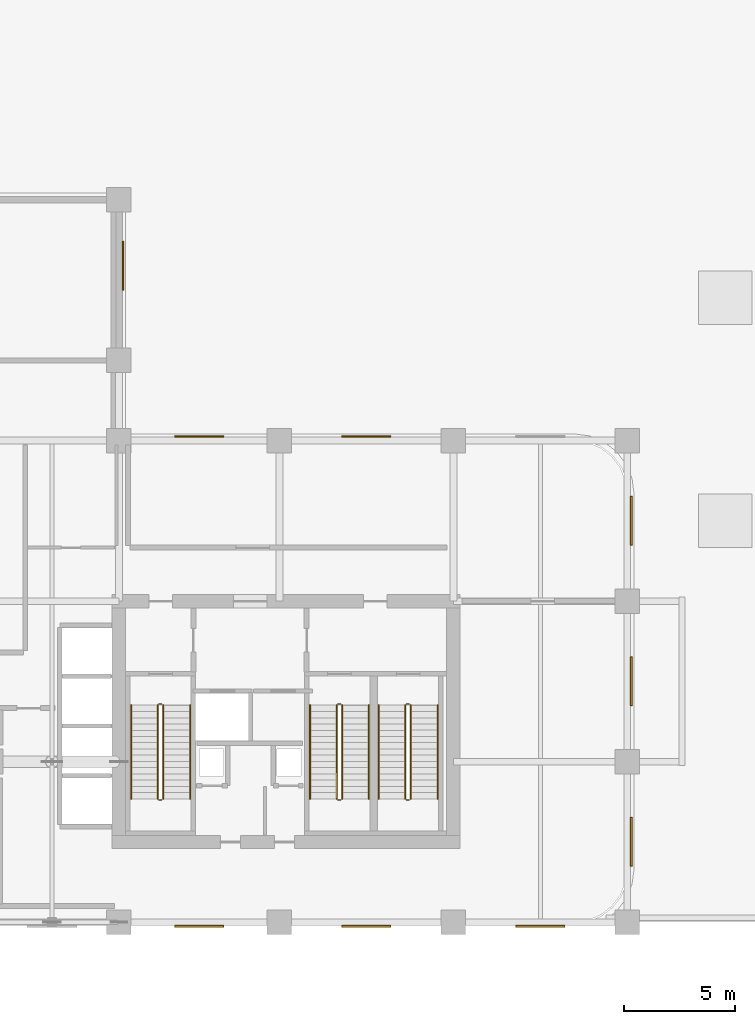
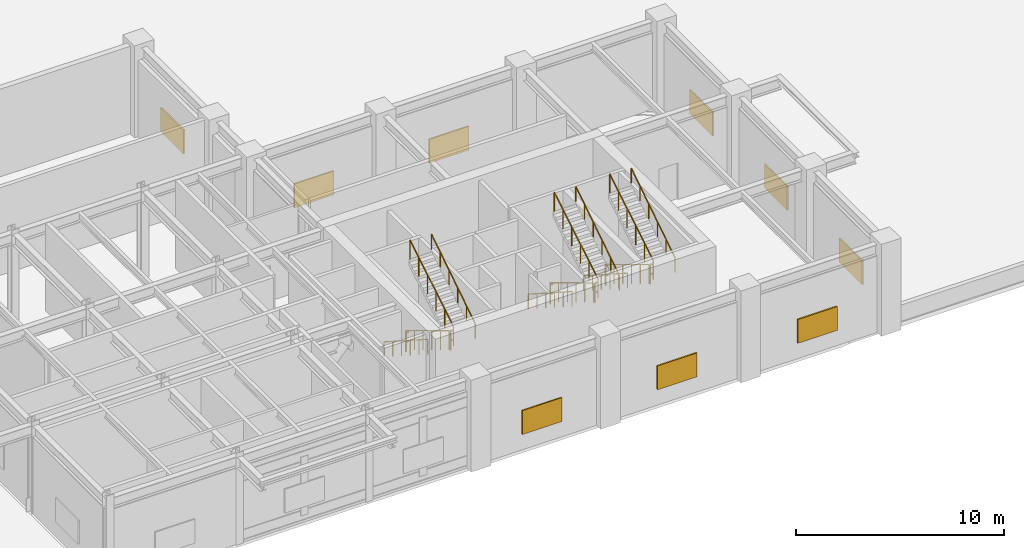
# One storey, part 12 of 14: 18 railings, 9 shading devices.
"""IFC4 building model written with IfcOpenShell, lengths in metres."""

import ifcopenshell
import ifcopenshell.guid

model = None  # the IFC model being written
_history = None  # IfcOwnerHistory: only IFC2X3 demands one
_inside = {}  # id of a spatial element -> (the spatial element, [elements in it])
_under = {}  # id of a project, library or spatial element -> (it, [spatial elements below it])
_declared = {}  # id of a project -> (the project, [libraries it declares])
_typed = {}  # id of a type object -> (the type object, [elements of that type])
_made_of = {}  # id of a material, layer set ... -> (it, [elements and type objects made of it])


def new_model(schema):
    """Start an empty IFC model of exactly this schema.

    Asked for "IFC4X3", IfcOpenShell would pick the latest addendum, in which some entities
    have other attributes; the version numbers below select the first issue.
    IFC2X3 requires an IfcOwnerHistory on every rooted entity: one is made here for all.
    """
    global model, _history
    if schema == "IFC4X3":
        model = ifcopenshell.file(schema_version=(4, 3, 0, 0))
    else:
        model = ifcopenshell.file(schema=schema)
    _inside.clear()
    _under.clear()
    _declared.clear()
    _typed.clear()
    _made_of.clear()
    _history = None
    if model.schema == "IFC2X3":
        org = make("IfcOrganization", Name="unknown")
        user = make(
            "IfcPersonAndOrganization",
            ThePerson=make("IfcPerson", FamilyName="unknown"),
            TheOrganization=org,
        )
        app = make(
            "IfcApplication",
            ApplicationDeveloper=org,
            Version="unknown",
            ApplicationFullName="unknown",
            ApplicationIdentifier="unknown",
        )
        _history = make(
            "IfcOwnerHistory",
            OwningUser=user,
            OwningApplication=app,
            ChangeAction="ADDED",
            CreationDate=0,
        )
    return model


def make(cls, **values):
    """One entity of the class cls with the attributes given. An attribute that is None is left unset."""
    return model.create_entity(
        cls, **{name: value for name, value in values.items() if value is not None}
    )


def rooted(cls, **values):
    """An entity with a GlobalId (a new one), such as an element, a storey or a relation."""
    return make(cls, GlobalId=ifcopenshell.guid.new(), OwnerHistory=_history, **values)


def si_unit(unit_type, name, prefix=None):
    """IfcSIUnit, for example si_unit("LENGTHUNIT", "METRE", prefix="MILLI")."""
    return make("IfcSIUnit", UnitType=unit_type, Prefix=prefix, Name=name)


def derived_unit(unit_type, elements):
    """IfcDerivedUnit: a product of units, each with its exponent."""
    return make(
        "IfcDerivedUnit",
        Elements=[
            make("IfcDerivedUnitElement", Unit=unit, Exponent=power)
            for unit, power in elements
        ],
        UnitType=unit_type,
    )


def assignment(units):
    """IfcUnitAssignment: the units of a project."""
    return None if units is None else make("IfcUnitAssignment", Units=units)


def point(xyz):
    """IfcCartesianPoint."""
    return None if xyz is None else make("IfcCartesianPoint", Coordinates=xyz)


def direction(xyz):
    """IfcDirection."""
    return None if xyz is None else make("IfcDirection", DirectionRatios=xyz)


def frame(location, z_axis=None, x_axis=None):
    """IfcAxis2Placement3D, a coordinate frame: its origin and axes. An axis left out is left unset."""
    return make(
        "IfcAxis2Placement3D",
        Location=point(location),
        Axis=direction(z_axis),
        RefDirection=direction(x_axis),
    )


def frame_2d(location, x_axis=None):
    """IfcAxis2Placement2D, a coordinate frame in the plane: its origin and x axis."""
    return make(
        "IfcAxis2Placement2D", Location=point(location), RefDirection=direction(x_axis)
    )


def origin():
    """The frame at (0, 0, 0) with its axes left unset."""
    return frame((0.0, 0.0, 0.0))


def origin_2d():
    """The frame at (0, 0) in the plane with its x axis left unset."""
    return frame_2d((0.0, 0.0))


def place(relative_to, where):
    """IfcLocalPlacement: puts the frame where relative to a parent placement (None: the world)."""
    return make(
        "IfcLocalPlacement", PlacementRelTo=relative_to, RelativePlacement=where
    )


def context(
    kind, dimensions, precision=None, world=None, true_north=None, identifier=None
):
    """IfcGeometricRepresentationContext, for example the 3D "Model" context."""
    return make(
        "IfcGeometricRepresentationContext",
        ContextIdentifier=identifier,
        ContextType=kind,
        CoordinateSpaceDimension=dimensions,
        Precision=precision,
        WorldCoordinateSystem=world,
        TrueNorth=true_north,
    )


def subcontext(parent, identifier, kind, view, scale=None):
    """IfcGeometricRepresentationSubContext, for example "Body" below "Model"."""
    return make(
        "IfcGeometricRepresentationSubContext",
        ContextIdentifier=identifier,
        ContextType=kind,
        ParentContext=parent,
        TargetScale=scale,
        TargetView=view,
    )


def project(units=None, contexts=None):
    """IfcProject with its units and contexts."""
    return rooted(
        "IfcProject",
        Name="project",
        RepresentationContexts=contexts,
        UnitsInContext=assignment(units),
    )


def spatial(cls, under=None, at=None, **own):
    """A site, building, storey or space (cls), placed at a placement, below another one or the project."""
    s = rooted(cls, ObjectPlacement=at, **own)
    if under is not None:
        _under.setdefault(under.id(), (under, []))[1].append(s)
    return s


def profile(cls, at=None, kind="AREA", **sizes):
    """A parametric profile (cls). Its sizes go by their IFC names, for example OverallWidth=200.0."""
    return make(cls, ProfileType=kind, Position=at, **sizes)


def rectangle(**sizes):
    """IfcRectangleProfileDef."""
    return profile("IfcRectangleProfileDef", **sizes)


def extrude(swept, where, along, depth):
    """IfcExtrudedAreaSolid: the profile swept, set in the frame where, extruded along a direction by depth."""
    return make(
        "IfcExtrudedAreaSolid",
        SweptArea=swept,
        Position=where,
        ExtrudedDirection=direction(along),
        Depth=depth,
    )


def shape(context_of_items, identifier, shape_type, items):
    """IfcShapeRepresentation: the items that make up one representation, for example the "Body"."""
    return make(
        "IfcShapeRepresentation",
        ContextOfItems=context_of_items,
        RepresentationIdentifier=identifier,
        RepresentationType=shape_type,
        Items=items,
    )


def source(mapping_origin, context_of_items, identifier, shape_type, items):
    """IfcRepresentationMap: a shape defined once, which mapped items show again and again."""
    return make(
        "IfcRepresentationMap",
        MappingOrigin=mapping_origin,
        MappedRepresentation=shape(context_of_items, identifier, shape_type, items),
    )


def transform(
    local_origin,
    x_axis=None,
    y_axis=None,
    z_axis=None,
    scale=None,
    scale2=None,
    scale3=None,
    uniform=True,
):
    """IfcCartesianTransformationOperator3D, or its non-uniform kind. x_axis, y_axis, z_axis: its Axis1, 2, 3."""
    if uniform:
        return make(
            "IfcCartesianTransformationOperator3D",
            Axis1=direction(x_axis),
            Axis2=direction(y_axis),
            LocalOrigin=point(local_origin),
            Scale=scale,
            Axis3=direction(z_axis),
        )
    return make(
        "IfcCartesianTransformationOperator3DnonUniform",
        Axis1=direction(x_axis),
        Axis2=direction(y_axis),
        LocalOrigin=point(local_origin),
        Scale=scale,
        Axis3=direction(z_axis),
        Scale2=scale2,
        Scale3=scale3,
    )


def mapped(mapping_source, mapping_target):
    """IfcMappedItem: shows the shape of a source again, moved by a transform."""
    return make(
        "IfcMappedItem", MappingSource=mapping_source, MappingTarget=mapping_target
    )


def material(Name=None, Category=None):
    """IfcMaterial."""
    return make("IfcMaterial", Name=Name, Category=Category)


def layer(
    of_material, thickness, ventilated=None, Name=None, Category=None, Priority=None
):
    """IfcMaterialLayer: one layer of a wall or slab, of a material (None: an air gap)."""
    return make(
        "IfcMaterialLayer",
        Material=of_material,
        LayerThickness=thickness,
        IsVentilated=ventilated,
        Name=Name,
        Category=Category,
        Priority=Priority,
    )


def layer_set(layers, Name=None):
    """IfcMaterialLayerSet."""
    return make("IfcMaterialLayerSet", MaterialLayers=layers, LayerSetName=Name)


def made_of(thing, what):
    """Note that an element or type object is made of a material, layer set ...; save() writes the relation."""
    if what is not None:
        _made_of.setdefault(what.id(), (what, []))[1].append(thing)
    return thing


def type_object(cls, material=None, **own):
    """A type object (cls), such as IfcWallType, which elements share."""
    return made_of(rooted(cls, **own), material)


def type_shapes(of_type, sources):
    """Give a type object the sources (RepresentationMaps) that its elements show as mapped items."""
    of_type.RepresentationMaps = sources


def element(
    cls,
    number,
    at=None,
    inside=None,
    cuts=None,
    type_object=None,
    material=None,
    context=None,
    identifier="Body",
    shape_type=None,
    held_by="IfcProductDefinitionShape",
    body=None,
    shapes=None,
    **own,
):
    """One element of the class cls, such as IfcWall. Its Tag is "e" and its number.

    at: its placement. inside: the storey or other place that contains it. cuts: it is an
    opening in that element (IfcRelVoidsElement). A single representation is given by context,
    identifier, shape_type and body (its items); several are given by shapes. held_by: the class
    of the entity that holds the representations. save() writes the other relations.
    """
    e = rooted(cls, Tag="e%d" % number, ObjectPlacement=at, **own)
    if body is not None:
        shapes = [shape(context, identifier, shape_type, body)]
    if shapes is not None:
        e.Representation = make(held_by, Representations=shapes)
    if inside is not None:
        _inside.setdefault(inside.id(), (inside, []))[1].append(e)
    if cuts is not None:
        rooted(
            "IfcRelVoidsElement", RelatingBuildingElement=cuts, RelatedOpeningElement=e
        )
    if type_object is not None:
        _typed.setdefault(type_object.id(), (type_object, []))[1].append(e)
    return made_of(e, material)


def aggregate(whole, parts):
    """IfcRelAggregates: a whole, such as a stair, and the parts it consists of."""
    return rooted("IfcRelAggregates", RelatingObject=whole, RelatedObjects=parts)


def save(model, path):
    """Write the relations noted so far, then the file.

    IfcRelAggregates (storeys below a building ...), IfcRelContainedInSpatialStructure (elements
    in a storey), IfcRelDefinesByType, IfcRelAssociatesMaterial and IfcRelDeclares: one each for
    every whole, place, type object, material and project.
    """
    for whole, parts in _under.values():
        aggregate(whole, parts)
    for where, things in _inside.values():
        rooted(
            "IfcRelContainedInSpatialStructure",
            RelatedElements=things,
            RelatingStructure=where,
        )
    for kind, things in _typed.values():
        rooted("IfcRelDefinesByType", RelatedObjects=things, RelatingType=kind)
    for what, things in _made_of.values():
        rooted("IfcRelAssociatesMaterial", RelatedObjects=things, RelatingMaterial=what)
    for by, libraries in _declared.values():
        rooted("IfcRelDeclares", RelatingContext=by, RelatedDefinitions=libraries)
    model.write(path)


model = new_model("IFC4")

# Units and contexts
model_context = context("Model", 3, precision=1e-05, world=origin(), true_north=direction((0.0, 1.0)))
body_context = subcontext(model_context, "Body", "Model", "MODEL_VIEW")
ifc_project = project(units=[si_unit("LENGTHUNIT", "METRE"), si_unit("AREAUNIT", "SQUARE_METRE"), si_unit("VOLUMEUNIT", "CUBIC_METRE"), si_unit("PLANEANGLEUNIT", "RADIAN"), si_unit("MASSUNIT", "GRAM", prefix="KILO"), si_unit("THERMODYNAMICTEMPERATUREUNIT", "KELVIN"), si_unit("POWERUNIT", "WATT"), derived_unit("THERMALTRANSMITTANCEUNIT", [(si_unit("POWERUNIT", "WATT"), 1), (si_unit("AREAUNIT", "SQUARE_METRE"), -1), (si_unit("THERMODYNAMICTEMPERATUREUNIT", "KELVIN"), -1)])], contexts=[model_context])

# Site, building, storey
site_placement = place(None, origin())
site = spatial("IfcSite", under=ifc_project, at=site_placement, CompositionType="ELEMENT")
building_placement = place(site_placement, origin())
building = spatial("IfcBuilding", under=site, at=building_placement, Name="Zahravan Archway Hotel and Residences", CompositionType="ELEMENT")
storey_placement = place(building_placement, frame((0.0, 0.0, 27.0)))
storey = spatial("IfcBuildingStorey", under=building, at=storey_placement, Name="L05", CompositionType="ELEMENT", Elevation=27.0)

# Railings
ifc_material_1 = material(Name="Painted Tubular Steel", Category="steel")
railing_type_1 = type_object("IfcRailingType", Name="RL-STG-1150", PredefinedType="GUARDRAIL", material=ifc_material_1)
railing_1_placement = place(storey_placement, frame((36.550048828125, 9.72998046875, 0.168701171875)))
element("IfcRailing", 1, at=railing_1_placement, inside=storey, type_object=railing_type_1, Name="L05 ST-A1 stair guard 1", PredefinedType="GUARDRAIL", context=body_context, shape_type="SweptSolid", body=[
    extrude(rectangle(XDim=0.048095703125, YDim=0.048095703125, at=origin_2d()), frame((0.0, 0.0, 1.1259765625), z_axis=(0.0, -0.856476492594, 0.516186030065), x_axis=(1.0, 0.0, 0.0)), (0.0, 0.0, 1.0), 4.90380859375),
    extrude(rectangle(XDim=0.0419921875, YDim=0.0419921875, at=origin_2d()), origin(), (0.0, 0.0, 1.0), 1.101806640625),
    extrude(rectangle(XDim=0.0419921875, YDim=0.0419921875, at=origin_2d()), frame((0.0, -0.840087890625, 0.50634765625)), (0.0, 0.0, 1.0), 1.101806640625),
    extrude(rectangle(XDim=0.0419921875, YDim=0.0419921875, at=origin_2d()), frame((0.0, -1.679931640625, 1.012451171875)), (0.0, 0.0, 1.0), 1.101806640625),
    extrude(rectangle(XDim=0.0419921875, YDim=0.0419921875, at=origin_2d()), frame((0.0, -2.52001953125, 1.518798828125)), (0.0, 0.0, 1.0), 1.101806640625),
    extrude(rectangle(XDim=0.0419921875, YDim=0.0419921875, at=origin_2d()), frame((0.0, -3.35986328125, 2.02490234375)), (0.0, 0.0, 1.0), 1.101806640625),
    extrude(rectangle(XDim=0.0419921875, YDim=0.0419921875, at=origin_2d()), frame((0.0, -4.199951171875, 2.53125)), (0.0, 0.0, 1.0), 1.101806640625),
])
railing_2_placement = place(storey_placement, frame((36.60009765625, 5.47998046875, 2.699951171875)))
element("IfcRailing", 2, at=railing_2_placement, inside=storey, type_object=railing_type_1, Name="L05 ST-A1 stair guard 2", PredefinedType="GUARDRAIL", context=body_context, shape_type="SweptSolid", body=[
    extrude(rectangle(XDim=0.048095703125, YDim=0.048095703125, at=origin_2d()), frame((0.0, 0.0, 1.1259765625), z_axis=(1.0, 0.0, 0.0), x_axis=(0.0, 1.0, 0.0)), (0.0, 0.0, 1.0), 0.139892578125),
    extrude(rectangle(XDim=0.048095703125, YDim=0.048095703125, at=origin_2d()), frame((0.0, 0.0, 0.574951171875), z_axis=(1.0, 0.0, 0.0), x_axis=(0.0, 1.0, 0.0)), (0.0, 0.0, 1.0), 0.139892578125),
    extrude(rectangle(XDim=0.0419921875, YDim=0.0419921875, at=origin_2d()), origin(), (0.0, 0.0, 1.0), 1.101806640625),
])
railing_3_placement = place(storey_placement, frame((36.7900390625, 5.530029296875, 2.86865234375)))
element("IfcRailing", 3, at=railing_3_placement, inside=storey, type_object=railing_type_1, Name="L05 ST-A1 stair guard 3", PredefinedType="GUARDRAIL", context=body_context, shape_type="SweptSolid", body=[
    extrude(rectangle(XDim=0.048095703125, YDim=0.048095703125, at=origin_2d()), frame((0.0, 0.0, 1.1259765625), z_axis=(0.0, 0.856476492594, 0.516186030065), x_axis=(-1.0, 0.0, 0.0)), (0.0, 0.0, 1.0), 4.90380859375),
    extrude(rectangle(XDim=0.0419921875, YDim=0.0419921875, at=origin_2d()), origin(), (0.0, 0.0, 1.0), 1.101806640625),
    extrude(rectangle(XDim=0.0419921875, YDim=0.0419921875, at=origin_2d()), frame((0.0, 0.840087890625, 0.50634765625)), (0.0, 0.0, 1.0), 1.101806640625),
    extrude(rectangle(XDim=0.0419921875, YDim=0.0419921875, at=origin_2d()), frame((0.0, 1.679931640625, 1.012451171875)), (0.0, 0.0, 1.0), 1.101806640625),
    extrude(rectangle(XDim=0.0419921875, YDim=0.0419921875, at=origin_2d()), frame((0.0, 2.52001953125, 1.518798828125)), (0.0, 0.0, 1.0), 1.101806640625),
    extrude(rectangle(XDim=0.0419921875, YDim=0.0419921875, at=origin_2d()), frame((0.0, 3.35986328125, 2.02490234375)), (0.0, 0.0, 1.0), 1.101806640625),
    extrude(rectangle(XDim=0.0419921875, YDim=0.0419921875, at=origin_2d()), frame((0.0, 4.199951171875, 2.53125)), (0.0, 0.0, 1.0), 1.101806640625),
])
railing_4_placement = place(storey_placement, frame((36.60009765625, 9.780029296875, 0.0)))
element("IfcRailing", 4, at=railing_4_placement, inside=storey, type_object=railing_type_1, Name="L05 ST-A1 stair guard 4", PredefinedType="GUARDRAIL", context=body_context, shape_type="SweptSolid", body=[
    extrude(rectangle(XDim=0.048095703125, YDim=0.048095703125, at=origin_2d()), frame((0.0, 0.0, 1.1259765625), z_axis=(1.0, 0.0, 0.0), x_axis=(0.0, 1.0, 0.0)), (0.0, 0.0, 1.0), 0.139892578125),
    extrude(rectangle(XDim=0.048095703125, YDim=0.048095703125, at=origin_2d()), frame((0.0, 0.0, 0.574951171875), z_axis=(1.0, 0.0, 0.0), x_axis=(0.0, 1.0, 0.0)), (0.0, 0.0, 1.0), 0.139892578125),
    extrude(rectangle(XDim=0.0419921875, YDim=0.0419921875, at=origin_2d()), origin(), (0.0, 0.0, 1.0), 1.101806640625),
])
railing_5_placement = place(storey_placement, frame((44.570068359375, 9.72998046875, 0.168701171875)))
element("IfcRailing", 5, at=railing_5_placement, inside=storey, type_object=railing_type_1, Name="L05 ST-A2 stair guard 1", PredefinedType="GUARDRAIL", context=body_context, shape_type="SweptSolid", body=[
    extrude(rectangle(XDim=0.048095703125, YDim=0.048095703125, at=origin_2d()), frame((0.0, 0.0, 1.1259765625), z_axis=(0.0, -0.856476492594, 0.516186030065), x_axis=(1.0, 0.0, 0.0)), (0.0, 0.0, 1.0), 4.90380859375),
    extrude(rectangle(XDim=0.0419921875, YDim=0.0419921875, at=origin_2d()), origin(), (0.0, 0.0, 1.0), 1.101806640625),
    extrude(rectangle(XDim=0.0419921875, YDim=0.0419921875, at=origin_2d()), frame((0.0, -0.840087890625, 0.50634765625)), (0.0, 0.0, 1.0), 1.101806640625),
    extrude(rectangle(XDim=0.0419921875, YDim=0.0419921875, at=origin_2d()), frame((0.0, -1.679931640625, 1.012451171875)), (0.0, 0.0, 1.0), 1.101806640625),
    extrude(rectangle(XDim=0.0419921875, YDim=0.0419921875, at=origin_2d()), frame((0.0, -2.52001953125, 1.518798828125)), (0.0, 0.0, 1.0), 1.101806640625),
    extrude(rectangle(XDim=0.0419921875, YDim=0.0419921875, at=origin_2d()), frame((0.0, -3.35986328125, 2.02490234375)), (0.0, 0.0, 1.0), 1.101806640625),
    extrude(rectangle(XDim=0.0419921875, YDim=0.0419921875, at=origin_2d()), frame((0.0, -4.199951171875, 2.53125)), (0.0, 0.0, 1.0), 1.101806640625),
])
railing_6_placement = place(storey_placement, frame((44.6201171875, 5.47998046875, 2.699951171875)))
element("IfcRailing", 6, at=railing_6_placement, inside=storey, type_object=railing_type_1, Name="L05 ST-A2 stair guard 2", PredefinedType="GUARDRAIL", context=body_context, shape_type="SweptSolid", body=[
    extrude(rectangle(XDim=0.048095703125, YDim=0.048095703125, at=origin_2d()), frame((0.0, 0.0, 1.1259765625), z_axis=(1.0, 0.0, 0.0), x_axis=(0.0, 1.0, 0.0)), (0.0, 0.0, 1.0), 0.139892578125),
    extrude(rectangle(XDim=0.048095703125, YDim=0.048095703125, at=origin_2d()), frame((0.0, 0.0, 0.574951171875), z_axis=(1.0, 0.0, 0.0), x_axis=(0.0, 1.0, 0.0)), (0.0, 0.0, 1.0), 0.139892578125),
    extrude(rectangle(XDim=0.0419921875, YDim=0.0419921875, at=origin_2d()), origin(), (0.0, 0.0, 1.0), 1.101806640625),
])
railing_7_placement = place(storey_placement, frame((44.81005859375, 5.530029296875, 2.86865234375)))
element("IfcRailing", 7, at=railing_7_placement, inside=storey, type_object=railing_type_1, Name="L05 ST-A2 stair guard 3", PredefinedType="GUARDRAIL", context=body_context, shape_type="SweptSolid", body=[
    extrude(rectangle(XDim=0.048095703125, YDim=0.048095703125, at=origin_2d()), frame((0.0, 0.0, 1.1259765625), z_axis=(0.0, 0.856476492594, 0.516186030065), x_axis=(-1.0, 0.0, 0.0)), (0.0, 0.0, 1.0), 4.90380859375),
    extrude(rectangle(XDim=0.0419921875, YDim=0.0419921875, at=origin_2d()), origin(), (0.0, 0.0, 1.0), 1.101806640625),
    extrude(rectangle(XDim=0.0419921875, YDim=0.0419921875, at=origin_2d()), frame((0.0, 0.840087890625, 0.50634765625)), (0.0, 0.0, 1.0), 1.101806640625),
    extrude(rectangle(XDim=0.0419921875, YDim=0.0419921875, at=origin_2d()), frame((0.0, 1.679931640625, 1.012451171875)), (0.0, 0.0, 1.0), 1.101806640625),
    extrude(rectangle(XDim=0.0419921875, YDim=0.0419921875, at=origin_2d()), frame((0.0, 2.52001953125, 1.518798828125)), (0.0, 0.0, 1.0), 1.101806640625),
    extrude(rectangle(XDim=0.0419921875, YDim=0.0419921875, at=origin_2d()), frame((0.0, 3.35986328125, 2.02490234375)), (0.0, 0.0, 1.0), 1.101806640625),
    extrude(rectangle(XDim=0.0419921875, YDim=0.0419921875, at=origin_2d()), frame((0.0, 4.199951171875, 2.53125)), (0.0, 0.0, 1.0), 1.101806640625),
])
railing_8_placement = place(storey_placement, frame((44.6201171875, 9.780029296875, 0.0)))
element("IfcRailing", 8, at=railing_8_placement, inside=storey, type_object=railing_type_1, Name="L05 ST-A2 stair guard 4", PredefinedType="GUARDRAIL", context=body_context, shape_type="SweptSolid", body=[
    extrude(rectangle(XDim=0.048095703125, YDim=0.048095703125, at=origin_2d()), frame((0.0, 0.0, 1.1259765625), z_axis=(1.0, 0.0, 0.0), x_axis=(0.0, 1.0, 0.0)), (0.0, 0.0, 1.0), 0.139892578125),
    extrude(rectangle(XDim=0.048095703125, YDim=0.048095703125, at=origin_2d()), frame((0.0, 0.0, 0.574951171875), z_axis=(1.0, 0.0, 0.0), x_axis=(0.0, 1.0, 0.0)), (0.0, 0.0, 1.0), 0.139892578125),
    extrude(rectangle(XDim=0.0419921875, YDim=0.0419921875, at=origin_2d()), origin(), (0.0, 0.0, 1.0), 1.101806640625),
])
railing_9_placement = place(storey_placement, frame((47.64990234375, 9.72998046875, 0.168701171875)))
element("IfcRailing", 9, at=railing_9_placement, inside=storey, type_object=railing_type_1, Name="L05 ST-A3 stair guard 1", PredefinedType="GUARDRAIL", context=body_context, shape_type="SweptSolid", body=[
    extrude(rectangle(XDim=0.048095703125, YDim=0.048095703125, at=origin_2d()), frame((0.0, 0.0, 1.1259765625), z_axis=(0.0, -0.856476492594, 0.516186030065), x_axis=(1.0, 0.0, 0.0)), (0.0, 0.0, 1.0), 4.90380859375),
    extrude(rectangle(XDim=0.0419921875, YDim=0.0419921875, at=origin_2d()), origin(), (0.0, 0.0, 1.0), 1.101806640625),
    extrude(rectangle(XDim=0.0419921875, YDim=0.0419921875, at=origin_2d()), frame((0.0, -0.840087890625, 0.50634765625)), (0.0, 0.0, 1.0), 1.101806640625),
    extrude(rectangle(XDim=0.0419921875, YDim=0.0419921875, at=origin_2d()), frame((0.0, -1.679931640625, 1.012451171875)), (0.0, 0.0, 1.0), 1.101806640625),
    extrude(rectangle(XDim=0.0419921875, YDim=0.0419921875, at=origin_2d()), frame((0.0, -2.52001953125, 1.518798828125)), (0.0, 0.0, 1.0), 1.101806640625),
    extrude(rectangle(XDim=0.0419921875, YDim=0.0419921875, at=origin_2d()), frame((0.0, -3.35986328125, 2.02490234375)), (0.0, 0.0, 1.0), 1.101806640625),
    extrude(rectangle(XDim=0.0419921875, YDim=0.0419921875, at=origin_2d()), frame((0.0, -4.199951171875, 2.53125)), (0.0, 0.0, 1.0), 1.101806640625),
])
railing_10_placement = place(storey_placement, frame((47.699951171875, 5.47998046875, 2.699951171875)))
element("IfcRailing", 10, at=railing_10_placement, inside=storey, type_object=railing_type_1, Name="L05 ST-A3 stair guard 2", PredefinedType="GUARDRAIL", context=body_context, shape_type="SweptSolid", body=[
    extrude(rectangle(XDim=0.048095703125, YDim=0.048095703125, at=origin_2d()), frame((0.0, 0.0, 1.1259765625), z_axis=(1.0, 0.0, 0.0), x_axis=(0.0, 1.0, 0.0)), (0.0, 0.0, 1.0), 0.14013671875),
    extrude(rectangle(XDim=0.048095703125, YDim=0.048095703125, at=origin_2d()), frame((0.0, 0.0, 0.574951171875), z_axis=(1.0, 0.0, 0.0), x_axis=(0.0, 1.0, 0.0)), (0.0, 0.0, 1.0), 0.14013671875),
    extrude(rectangle(XDim=0.0419921875, YDim=0.0419921875, at=origin_2d()), origin(), (0.0, 0.0, 1.0), 1.101806640625),
])
railing_11_placement = place(storey_placement, frame((47.889892578125, 5.530029296875, 2.86865234375)))
element("IfcRailing", 11, at=railing_11_placement, inside=storey, type_object=railing_type_1, Name="L05 ST-A3 stair guard 3", PredefinedType="GUARDRAIL", context=body_context, shape_type="SweptSolid", body=[
    extrude(rectangle(XDim=0.048095703125, YDim=0.048095703125, at=origin_2d()), frame((0.0, 0.0, 1.1259765625), z_axis=(0.0, 0.856476492594, 0.516186030065), x_axis=(-1.0, 0.0, 0.0)), (0.0, 0.0, 1.0), 4.90380859375),
    extrude(rectangle(XDim=0.0419921875, YDim=0.0419921875, at=origin_2d()), origin(), (0.0, 0.0, 1.0), 1.101806640625),
    extrude(rectangle(XDim=0.0419921875, YDim=0.0419921875, at=origin_2d()), frame((0.0, 0.840087890625, 0.50634765625)), (0.0, 0.0, 1.0), 1.101806640625),
    extrude(rectangle(XDim=0.0419921875, YDim=0.0419921875, at=origin_2d()), frame((0.0, 1.679931640625, 1.012451171875)), (0.0, 0.0, 1.0), 1.101806640625),
    extrude(rectangle(XDim=0.0419921875, YDim=0.0419921875, at=origin_2d()), frame((0.0, 2.52001953125, 1.518798828125)), (0.0, 0.0, 1.0), 1.101806640625),
    extrude(rectangle(XDim=0.0419921875, YDim=0.0419921875, at=origin_2d()), frame((0.0, 3.35986328125, 2.02490234375)), (0.0, 0.0, 1.0), 1.101806640625),
    extrude(rectangle(XDim=0.0419921875, YDim=0.0419921875, at=origin_2d()), frame((0.0, 4.199951171875, 2.53125)), (0.0, 0.0, 1.0), 1.101806640625),
])
railing_12_placement = place(storey_placement, frame((47.699951171875, 9.780029296875, 0.0)))
element("IfcRailing", 12, at=railing_12_placement, inside=storey, type_object=railing_type_1, Name="L05 ST-A3 stair guard 4", PredefinedType="GUARDRAIL", context=body_context, shape_type="SweptSolid", body=[
    extrude(rectangle(XDim=0.048095703125, YDim=0.048095703125, at=origin_2d()), frame((0.0, 0.0, 1.1259765625), z_axis=(1.0, 0.0, 0.0), x_axis=(0.0, 1.0, 0.0)), (0.0, 0.0, 1.0), 0.14013671875),
    extrude(rectangle(XDim=0.048095703125, YDim=0.048095703125, at=origin_2d()), frame((0.0, 0.0, 0.574951171875), z_axis=(1.0, 0.0, 0.0), x_axis=(0.0, 1.0, 0.0)), (0.0, 0.0, 1.0), 0.14013671875),
    extrude(rectangle(XDim=0.0419921875, YDim=0.0419921875, at=origin_2d()), origin(), (0.0, 0.0, 1.0), 1.101806640625),
])
ifc_material_2 = material(Name="Brushed Stainless Steel", Category="steel")
railing_type_2 = type_object("IfcRailingType", Name="RL-STH-900", PredefinedType="HANDRAIL", material=ifc_material_2)
railing_13_placement = place(storey_placement, frame((35.35009765625, 9.72998046875, 0.168701171875)))
element("IfcRailing", 13, at=railing_13_placement, inside=storey, type_object=railing_type_2, Name="L05 ST-A1 stair handrail 1", PredefinedType="HANDRAIL", context=body_context, shape_type="SweptSolid", body=[
    extrude(rectangle(XDim=0.048095703125, YDim=0.048095703125, at=origin_2d()), frame((0.0, 0.0, 0.8759765625), z_axis=(0.0, -0.841180064094, 0.540755119968), x_axis=(1.0, 0.0, 0.0)), (0.0, 0.0, 1.0), 4.992919921875),
    extrude(rectangle(XDim=0.0419921875, YDim=0.0419921875, at=origin_2d()), origin(), (0.0, 0.0, 1.0), 0.851806640625),
    extrude(rectangle(XDim=0.0419921875, YDim=0.0419921875, at=origin_2d()), frame((0.0, -0.840087890625, 0.5400390625)), (0.0, 0.0, 1.0), 0.851806640625),
    extrude(rectangle(XDim=0.0419921875, YDim=0.0419921875, at=origin_2d()), frame((0.0, -1.679931640625, 1.080078125)), (0.0, 0.0, 1.0), 0.851806640625),
    extrude(rectangle(XDim=0.0419921875, YDim=0.0419921875, at=origin_2d()), frame((0.0, -2.52001953125, 1.619873046875)), (0.0, 0.0, 1.0), 0.851806640625),
    extrude(rectangle(XDim=0.0419921875, YDim=0.0419921875, at=origin_2d()), frame((0.0, -3.35986328125, 2.159912109375)), (0.0, 0.0, 1.0), 0.851806640625),
    extrude(rectangle(XDim=0.0419921875, YDim=0.0419921875, at=origin_2d()), frame((0.0, -4.199951171875, 2.699951171875)), (0.0, 0.0, 1.0), 0.851806640625),
])
railing_14_placement = place(storey_placement, frame((37.989990234375, 5.530029296875, 2.86865234375)))
element("IfcRailing", 14, at=railing_14_placement, inside=storey, type_object=railing_type_2, Name="L05 ST-A1 stair handrail 2", PredefinedType="HANDRAIL", context=body_context, shape_type="SweptSolid", body=[
    extrude(rectangle(XDim=0.048095703125, YDim=0.048095703125, at=origin_2d()), frame((0.0, 0.0, 0.8759765625), z_axis=(0.0, 0.841157821942, 0.54078971753), x_axis=(-1.0, 0.0, 0.0)), (0.0, 0.0, 1.0), 4.9931640625),
    extrude(rectangle(XDim=0.0419921875, YDim=0.0419921875, at=origin_2d()), origin(), (0.0, 0.0, 1.0), 0.851806640625),
    extrude(rectangle(XDim=0.0419921875, YDim=0.0419921875, at=origin_2d()), frame((0.0, 0.840087890625, 0.5400390625)), (0.0, 0.0, 1.0), 0.851806640625),
    extrude(rectangle(XDim=0.0419921875, YDim=0.0419921875, at=origin_2d()), frame((0.0, 1.679931640625, 1.080078125)), (0.0, 0.0, 1.0), 0.851806640625),
    extrude(rectangle(XDim=0.0419921875, YDim=0.0419921875, at=origin_2d()), frame((0.0, 2.52001953125, 1.6201171875)), (0.0, 0.0, 1.0), 0.851806640625),
    extrude(rectangle(XDim=0.0419921875, YDim=0.0419921875, at=origin_2d()), frame((0.0, 3.35986328125, 2.16015625)), (0.0, 0.0, 1.0), 0.851806640625),
    extrude(rectangle(XDim=0.0419921875, YDim=0.0419921875, at=origin_2d()), frame((0.0, 4.199951171875, 2.7001953125)), (0.0, 0.0, 1.0), 0.851806640625),
])
railing_15_placement = place(storey_placement, frame((43.3701171875, 9.72998046875, 0.168701171875)))
element("IfcRailing", 15, at=railing_15_placement, inside=storey, type_object=railing_type_2, Name="L05 ST-A2 stair handrail 1", PredefinedType="HANDRAIL", context=body_context, shape_type="SweptSolid", body=[
    extrude(rectangle(XDim=0.048095703125, YDim=0.048095703125, at=origin_2d()), frame((0.0, 0.0, 0.8759765625), z_axis=(0.0, -0.841180064094, 0.540755119968), x_axis=(1.0, 0.0, 0.0)), (0.0, 0.0, 1.0), 4.992919921875),
    extrude(rectangle(XDim=0.0419921875, YDim=0.0419921875, at=origin_2d()), origin(), (0.0, 0.0, 1.0), 0.851806640625),
    extrude(rectangle(XDim=0.0419921875, YDim=0.0419921875, at=origin_2d()), frame((0.0, -0.840087890625, 0.5400390625)), (0.0, 0.0, 1.0), 0.851806640625),
    extrude(rectangle(XDim=0.0419921875, YDim=0.0419921875, at=origin_2d()), frame((0.0, -1.679931640625, 1.080078125)), (0.0, 0.0, 1.0), 0.851806640625),
    extrude(rectangle(XDim=0.0419921875, YDim=0.0419921875, at=origin_2d()), frame((0.0, -2.52001953125, 1.619873046875)), (0.0, 0.0, 1.0), 0.851806640625),
    extrude(rectangle(XDim=0.0419921875, YDim=0.0419921875, at=origin_2d()), frame((0.0, -3.35986328125, 2.159912109375)), (0.0, 0.0, 1.0), 0.851806640625),
    extrude(rectangle(XDim=0.0419921875, YDim=0.0419921875, at=origin_2d()), frame((0.0, -4.199951171875, 2.699951171875)), (0.0, 0.0, 1.0), 0.851806640625),
])
railing_16_placement = place(storey_placement, frame((46.010009765625, 5.530029296875, 2.86865234375)))
element("IfcRailing", 16, at=railing_16_placement, inside=storey, type_object=railing_type_2, Name="L05 ST-A2 stair handrail 2", PredefinedType="HANDRAIL", context=body_context, shape_type="SweptSolid", body=[
    extrude(rectangle(XDim=0.048095703125, YDim=0.048095703125, at=origin_2d()), frame((0.0, 0.0, 0.8759765625), z_axis=(0.0, 0.841157821942, 0.54078971753), x_axis=(-1.0, 0.0, 0.0)), (0.0, 0.0, 1.0), 4.9931640625),
    extrude(rectangle(XDim=0.0419921875, YDim=0.0419921875, at=origin_2d()), origin(), (0.0, 0.0, 1.0), 0.851806640625),
    extrude(rectangle(XDim=0.0419921875, YDim=0.0419921875, at=origin_2d()), frame((0.0, 0.840087890625, 0.5400390625)), (0.0, 0.0, 1.0), 0.851806640625),
    extrude(rectangle(XDim=0.0419921875, YDim=0.0419921875, at=origin_2d()), frame((0.0, 1.679931640625, 1.080078125)), (0.0, 0.0, 1.0), 0.851806640625),
    extrude(rectangle(XDim=0.0419921875, YDim=0.0419921875, at=origin_2d()), frame((0.0, 2.52001953125, 1.6201171875)), (0.0, 0.0, 1.0), 0.851806640625),
    extrude(rectangle(XDim=0.0419921875, YDim=0.0419921875, at=origin_2d()), frame((0.0, 3.35986328125, 2.16015625)), (0.0, 0.0, 1.0), 0.851806640625),
    extrude(rectangle(XDim=0.0419921875, YDim=0.0419921875, at=origin_2d()), frame((0.0, 4.199951171875, 2.7001953125)), (0.0, 0.0, 1.0), 0.851806640625),
])
railing_17_placement = place(storey_placement, frame((46.449951171875, 9.72998046875, 0.168701171875)))
element("IfcRailing", 17, at=railing_17_placement, inside=storey, type_object=railing_type_2, Name="L05 ST-A3 stair handrail 1", PredefinedType="HANDRAIL", context=body_context, shape_type="SweptSolid", body=[
    extrude(rectangle(XDim=0.048095703125, YDim=0.048095703125, at=origin_2d()), frame((0.0, 0.0, 0.8759765625), z_axis=(0.0, -0.841180064094, 0.540755119968), x_axis=(1.0, 0.0, 0.0)), (0.0, 0.0, 1.0), 4.992919921875),
    extrude(rectangle(XDim=0.0419921875, YDim=0.0419921875, at=origin_2d()), origin(), (0.0, 0.0, 1.0), 0.851806640625),
    extrude(rectangle(XDim=0.0419921875, YDim=0.0419921875, at=origin_2d()), frame((0.0, -0.840087890625, 0.5400390625)), (0.0, 0.0, 1.0), 0.851806640625),
    extrude(rectangle(XDim=0.0419921875, YDim=0.0419921875, at=origin_2d()), frame((0.0, -1.679931640625, 1.080078125)), (0.0, 0.0, 1.0), 0.851806640625),
    extrude(rectangle(XDim=0.0419921875, YDim=0.0419921875, at=origin_2d()), frame((0.0, -2.52001953125, 1.619873046875)), (0.0, 0.0, 1.0), 0.851806640625),
    extrude(rectangle(XDim=0.0419921875, YDim=0.0419921875, at=origin_2d()), frame((0.0, -3.35986328125, 2.159912109375)), (0.0, 0.0, 1.0), 0.851806640625),
    extrude(rectangle(XDim=0.0419921875, YDim=0.0419921875, at=origin_2d()), frame((0.0, -4.199951171875, 2.699951171875)), (0.0, 0.0, 1.0), 0.851806640625),
])
railing_18_placement = place(storey_placement, frame((49.090087890625, 5.530029296875, 2.86865234375)))
element("IfcRailing", 18, at=railing_18_placement, inside=storey, type_object=railing_type_2, Name="L05 ST-A3 stair handrail 2", PredefinedType="HANDRAIL", context=body_context, shape_type="SweptSolid", body=[
    extrude(rectangle(XDim=0.048095703125, YDim=0.048095703125, at=origin_2d()), frame((0.0, 0.0, 0.8759765625), z_axis=(0.0, 0.841157821942, 0.54078971753), x_axis=(-1.0, 0.0, 0.0)), (0.0, 0.0, 1.0), 4.9931640625),
    extrude(rectangle(XDim=0.0419921875, YDim=0.0419921875, at=origin_2d()), origin(), (0.0, 0.0, 1.0), 0.851806640625),
    extrude(rectangle(XDim=0.0419921875, YDim=0.0419921875, at=origin_2d()), frame((0.0, 0.840087890625, 0.5400390625)), (0.0, 0.0, 1.0), 0.851806640625),
    extrude(rectangle(XDim=0.0419921875, YDim=0.0419921875, at=origin_2d()), frame((0.0, 1.679931640625, 1.080078125)), (0.0, 0.0, 1.0), 0.851806640625),
    extrude(rectangle(XDim=0.0419921875, YDim=0.0419921875, at=origin_2d()), frame((0.0, 2.52001953125, 1.6201171875)), (0.0, 0.0, 1.0), 0.851806640625),
    extrude(rectangle(XDim=0.0419921875, YDim=0.0419921875, at=origin_2d()), frame((0.0, 3.35986328125, 2.16015625)), (0.0, 0.0, 1.0), 0.851806640625),
    extrude(rectangle(XDim=0.0419921875, YDim=0.0419921875, at=origin_2d()), frame((0.0, 4.199951171875, 2.7001953125)), (0.0, 0.0, 1.0), 0.851806640625),
])

# Shading devices
ifc_material_3 = material(Name="Bronze Acoustic Intake Louvre")
ifc_layer = layer(ifc_material_3, 0.080078125, Name="Bronze Acoustic Intake Louvre")
ifc_layer_set = layer_set([ifc_layer], Name="Bronze Acoustic Intake Louvre")
shading_device_type = type_object("IfcShadingDeviceType", Name="SHD-LOUVRE-60", PredefinedType="USERDEFINED", material=ifc_layer_set)
shared_shape = source(origin(), body_context, "Body", "SweptSolid", [
    extrude(rectangle(XDim=2.199951171875, YDim=0.080078125, at=origin_2d()), origin(), (0.0, 0.0, 1.0), 1.39990234375),
])
type_shapes(shading_device_type, [shared_shape])
for number, where, z_axis, x_axis, name in (
    (19, (38.39990234375, -0.179931640625, 0.949951171875), (0.0, 0.0, 1.0), (1.0, 0.0, 0.0), "L05 Acoustic Plant Intake Louvre 04"),
    (20, (45.89990234375, -0.179931640625, 0.949951171875), (0.0, 0.0, 1.0), (1.0, 0.0, 0.0), "L05 Acoustic Plant Intake Louvre 05"),
    (21, (53.699951171875, -0.179931640625, 0.949951171875), (0.0, 0.0, 1.0), (1.0, 0.0, 0.0), "L05 Acoustic Plant Intake Louvre 06"),
    (22, (57.780029296875, 3.60009765625, 0.949951171875), (0.0, 0.0, 1.0), (0.0, 1.0, 0.0), "L05 Acoustic Plant Intake Louvre 07"),
    (23, (57.780029296875, 10.800048828125, 0.949951171875), (0.0, 0.0, 1.0), (0.0, 1.0, 0.0), "L05 Acoustic Plant Intake Louvre 08"),
    (24, (57.780029296875, 18.0, 0.949951171875), (0.0, 0.0, 1.0), (0.0, 1.0, 0.0), "L05 Acoustic Plant Intake Louvre 09"),
    (25, (38.39990234375, 21.780029296875, 0.949951171875), (0.0, 0.0, 1.0), (1.0, 0.0, 0.0), "L05 Acoustic Plant Intake Louvre 10"),
    (26, (45.89990234375, 21.780029296875, 0.949951171875), (0.0, 0.0, 1.0), (1.0, 0.0, 0.0), "L05 Acoustic Plant Intake Louvre 11"),
    (27, (34.97998046875, 29.430908203125, 0.949951171875), (0.0, 0.0, 1.0), (0.0, 1.0, 0.0), "L05 Acoustic Plant Intake Louvre 24"),
):
    element("IfcShadingDevice", number, at=place(storey_placement, frame(where, z_axis=z_axis, x_axis=x_axis)), inside=storey, type_object=shading_device_type, Name=name, ObjectType="LOUVER", PredefinedType="USERDEFINED", context=body_context, shape_type="MappedRepresentation", body=[
        mapped(shared_shape, transform((0.0, 0.0, 0.0), scale=1.0)),
    ])

save(model, "model.ifc")
